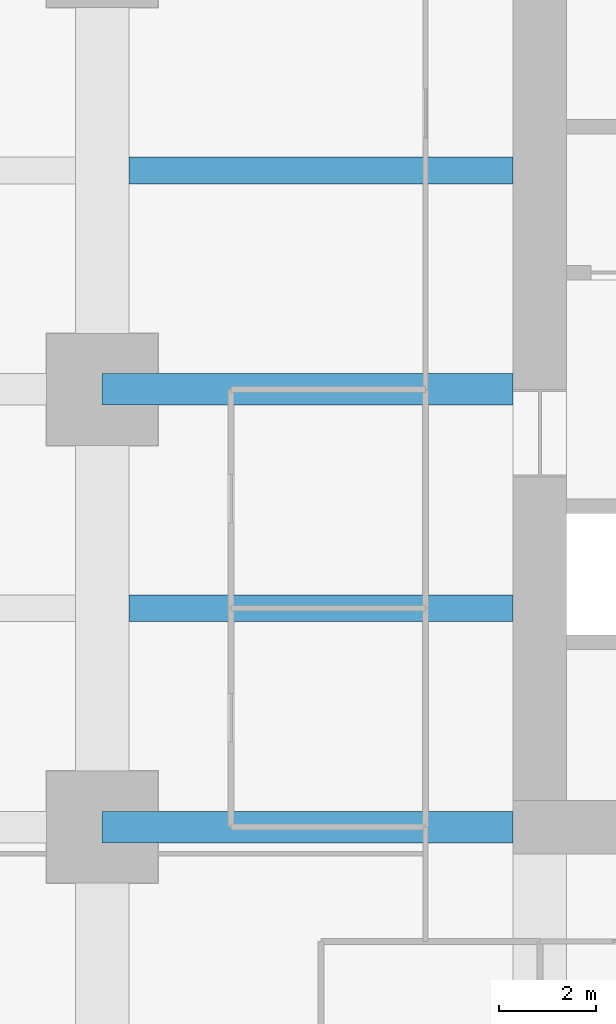
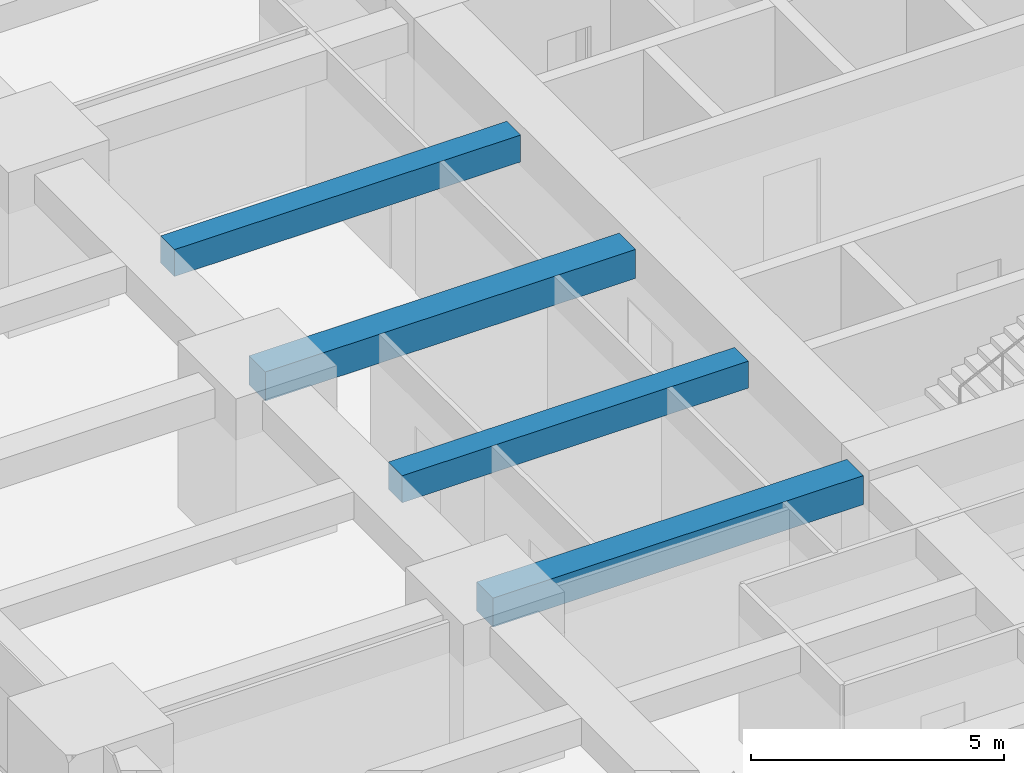
# One storey, part 9 of 39: 4 beams.
"""IFC4 building model written with IfcOpenShell, lengths in metres."""

from ifc_helpers import new_model, si_unit, direction, frame, origin, origin_2d, place, context, subcontext, project, spatial, rectangle, extrude, material, material_profile, profile_set, type_object, element, save


model = new_model("IFC4")

# Units and contexts
model_context = context("Model", 3, precision=1e-05, world=origin(), true_north=direction((0.0, 1.0)))
body_context = subcontext(model_context, "Body", "Model", "MODEL_VIEW")
ifc_project = project(units=[si_unit("LENGTHUNIT", "METRE"), si_unit("AREAUNIT", "SQUARE_METRE"), si_unit("VOLUMEUNIT", "CUBIC_METRE"), si_unit("PLANEANGLEUNIT", "RADIAN"), si_unit("MASSUNIT", "GRAM", prefix="KILO")], contexts=[model_context])

# Site, building, storey
site_placement = place(None, origin())
site = spatial("IfcSite", under=ifc_project, at=site_placement, CompositionType="ELEMENT")
building_placement = place(site_placement, origin())
building = spatial("IfcBuilding", under=site, at=building_placement, Name="Zorevar Civic Tower", CompositionType="ELEMENT")
storey_placement = place(building_placement, frame((0.0, 0.0, 19.800048828125)))
storey = spatial("IfcBuildingStorey", under=building, at=storey_placement, Name="L04", CompositionType="ELEMENT", Elevation=19.800048828125)

# Beams
ifc_material_1 = material(Name="Concrete C50/60", Category="concrete")
ifc_material_profile_1 = material_profile(ifc_material_1, rectangle(XDim=0.550048828125, YDim=0.64990234375, at=origin_2d()), Name="RC 550x650")
ifc_profile_set_1 = profile_set([ifc_material_profile_1], Name="Concrete C50/60")
beam_type_1 = type_object("IfcBeamType", Name="Beam RC 550x650", PredefinedType="BEAM", material=ifc_profile_set_1)
for number, where, z_axis, x_axis, name in (
    (1, (9.550048828125, 22.5, 3.425048828125), (1.0, 0.0, 0.0), (0.0, 1.0, 0.0), "Secondary beam L05"),
    (2, (9.550048828125, 31.5, 3.425048828125), (1.0, 0.0, 0.0), (0.0, 1.0, 0.0), "Secondary beam L05"),
):
    element("IfcBeam", number, at=place(storey_placement, frame(where, z_axis=z_axis, x_axis=x_axis)), inside=storey, type_object=beam_type_1, Name=name, PredefinedType="BEAM", context=body_context, shape_type="SweptSolid", body=[
        extrude(rectangle(XDim=0.550048828125, YDim=0.64990234375, at=origin_2d()), origin(), (0.0, 0.0, 1.0), 7.89990234375),
    ])
ifc_material_2 = material(Name="Concrete C50/60", Category="concrete")
ifc_material_profile_2 = material_profile(ifc_material_2, rectangle(XDim=0.64990234375, YDim=0.699951171875, at=origin_2d()), Name="RC 650x700")
ifc_profile_set_2 = profile_set([ifc_material_profile_2], Name="Concrete C50/60")
beam_type_2 = type_object("IfcBeamType", Name="Beam RC 650x700", PredefinedType="BEAM", material=ifc_profile_set_2)
for number, where, z_axis, x_axis, name in (
    (3, (9.0, 18.0, 3.39990234375), (1.0, 0.0, 0.0), (0.0, 1.0, 0.0), "Girder L05"),
    (4, (9.0, 27.0, 3.39990234375), (1.0, 0.0, 0.0), (0.0, 1.0, 0.0), "Girder L05"),
):
    element("IfcBeam", number, at=place(storey_placement, frame(where, z_axis=z_axis, x_axis=x_axis)), inside=storey, type_object=beam_type_2, Name=name, PredefinedType="BEAM", context=body_context, shape_type="SweptSolid", body=[
        extrude(rectangle(XDim=0.64990234375, YDim=0.699951171875, at=origin_2d()), origin(), (0.0, 0.0, 1.0), 8.449951171875),
    ])

save(model, "model.ifc")
